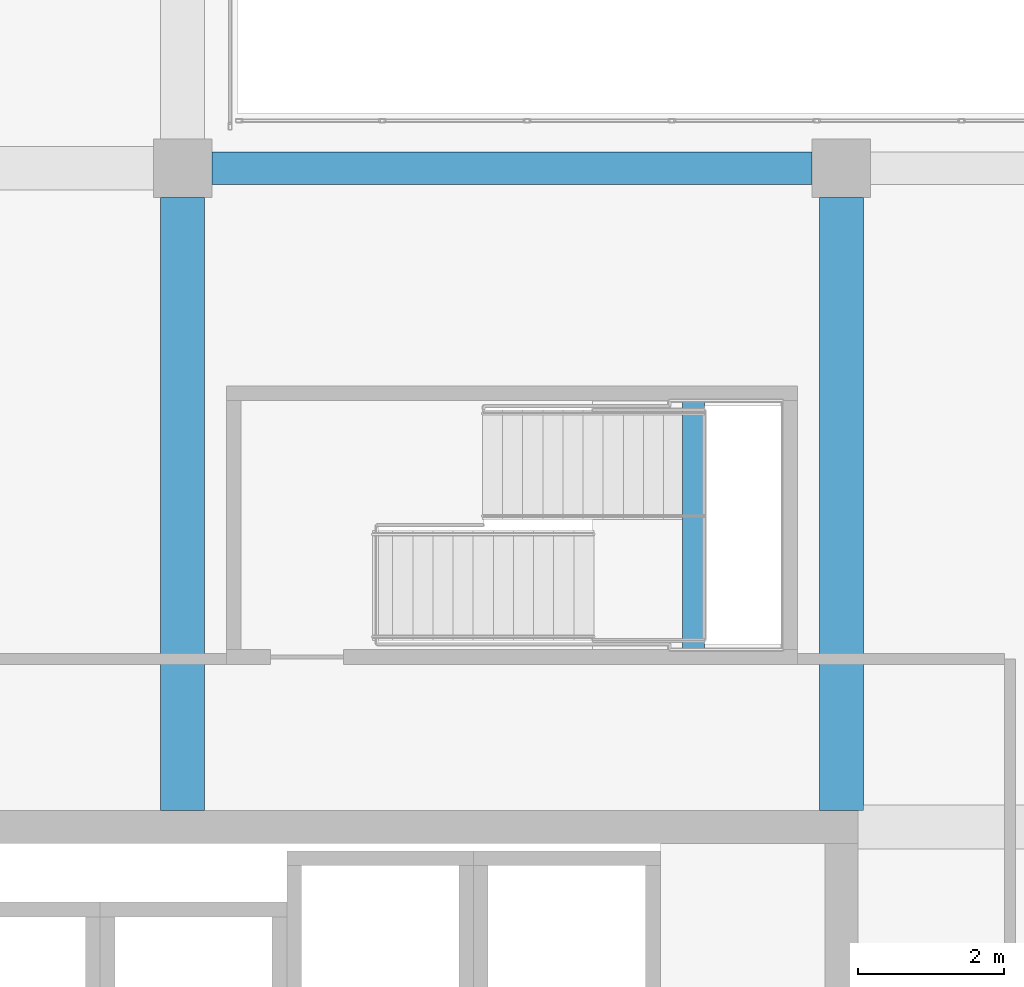
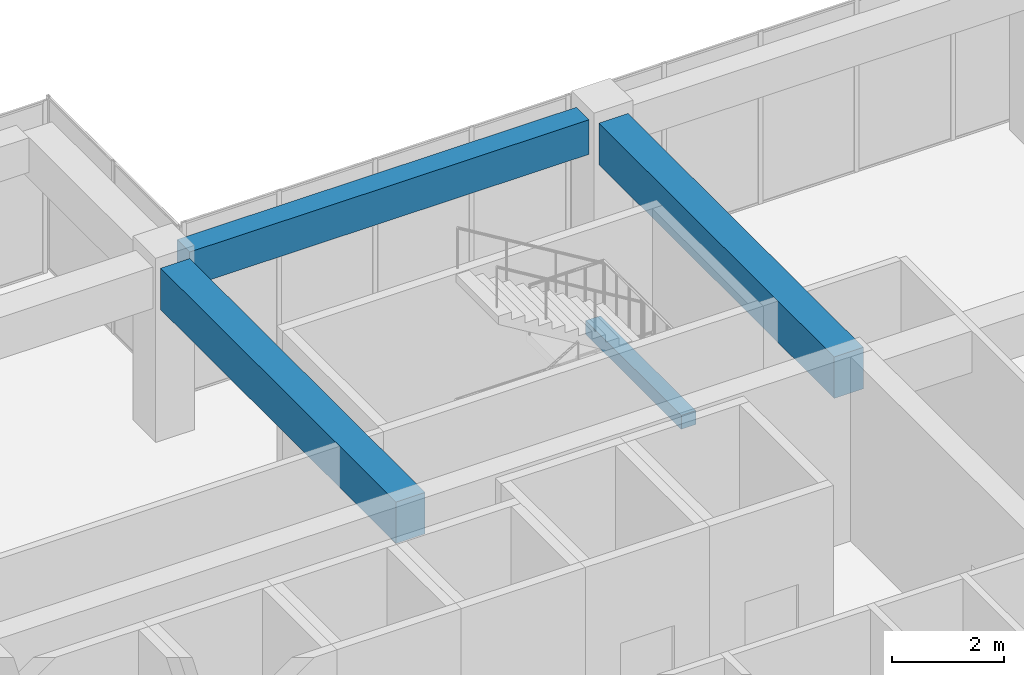
# One storey, part 34 of 66: 4 beams.
"""IFC4 building model written with IfcOpenShell, lengths in metres."""

from ifc_helpers import new_model, si_unit, direction, frame, origin, origin_2d, place, context, subcontext, project, spatial, rectangle, extrude, material, material_profile, profile_set, type_object, element, save


model = new_model("IFC4")

# Units and contexts
model_context = context("Model", 3, precision=1e-05, world=origin(), true_north=direction((0.0, 1.0)))
body_context = subcontext(model_context, "Body", "Model", "MODEL_VIEW")
ifc_project = project(units=[si_unit("LENGTHUNIT", "METRE"), si_unit("AREAUNIT", "SQUARE_METRE"), si_unit("VOLUMEUNIT", "CUBIC_METRE"), si_unit("PLANEANGLEUNIT", "RADIAN"), si_unit("MASSUNIT", "GRAM", prefix="KILO")], contexts=[model_context])

# Site, building, storey
site_placement = place(None, origin())
site = spatial("IfcSite", under=ifc_project, at=site_placement, CompositionType="ELEMENT")
building_placement = place(site_placement, origin())
building = spatial("IfcBuilding", under=site, at=building_placement, Name="Tuart Plaza Theatre", CompositionType="ELEMENT")
storey_placement = place(building_placement, frame((0.0, 0.0, 5.5)))
storey = spatial("IfcBuildingStorey", under=building, at=storey_placement, Name="L01", CompositionType="ELEMENT", Elevation=5.5)

# Beams
ifc_material_1 = material(Name="Concrete N40 (40 MPa)", Category="concrete")
ifc_material_profile_1 = material_profile(ifc_material_1, rectangle(XDim=0.300048828125, YDim=0.300048828125, at=origin_2d()), Name="BEAM 300x300 Concrete N40 (40 MPa)")
ifc_profile_set_1 = profile_set([ifc_material_profile_1], Name="Concrete N40 (40 MPa)")
beam_type_1 = type_object("IfcBeamType", Name="BEAM 300x300 Concrete N40 (40 MPa)", PredefinedType="BEAM", material=ifc_profile_set_1)
beam_1_placement = place(storey_placement, frame((138.97998046875, 85.425048828125, 1.64990234375), z_axis=(0.0, 1.0, 0.0), x_axis=(-1.0, 0.0, 0.0)))
element("IfcBeam", 1, at=beam_1_placement, inside=storey, type_object=beam_type_1, Name="RB513", PredefinedType="BEAM", context=body_context, shape_type="SweptSolid", body=[
    extrude(rectangle(XDim=0.300048828125, YDim=0.300048828125, at=origin_2d()), origin(), (0.0, 0.0, 1.0), 3.39990234375),
])
ifc_material_2 = material(Name="Concrete N40 (40 MPa)", Category="concrete")
ifc_material_profile_2 = material_profile(ifc_material_2, rectangle(XDim=0.449951171875, YDim=0.75, at=origin_2d()), Name="BEAM 450x750 Concrete N40 (40 MPa)")
ifc_profile_set_2 = profile_set([ifc_material_profile_2], Name="Concrete N40 (40 MPa)")
beam_type_2 = type_object("IfcBeamType", Name="BEAM 450x750 Concrete N40 (40 MPa)", PredefinedType="BEAM", material=ifc_profile_set_2)
beam_2_placement = place(storey_placement, frame((132.39990234375, 92.0, 3.375), z_axis=(1.0, 0.0, 0.0), x_axis=(0.0, 1.0, 0.0)))
element("IfcBeam", 2, at=beam_2_placement, inside=storey, type_object=beam_type_2, Name="RB187", PredefinedType="BEAM", context=body_context, shape_type="SweptSolid", body=[
    extrude(rectangle(XDim=0.449951171875, YDim=0.75, at=origin_2d()), origin(), (0.0, 0.0, 1.0), 8.2001953125),
])
ifc_material_3 = material(Name="Concrete N40 (40 MPa)", Category="concrete")
ifc_material_profile_3 = material_profile(ifc_material_3, rectangle(XDim=0.60009765625, YDim=0.89990234375, at=origin_2d()), Name="BEAM 600x900 Concrete N40 (40 MPa)")
ifc_profile_set_3 = profile_set([ifc_material_profile_3], Name="Concrete N40 (40 MPa)")
beam_type_3 = type_object("IfcBeamType", Name="BEAM 600x900 Concrete N40 (40 MPa)", PredefinedType="BEAM", material=ifc_profile_set_3)
for number, where, z_axis, x_axis, name in (
    (3, (132.0, 83.22509765625, 3.300048828125), (0.0, 1.0, 0.0), (-1.0, 0.0, 0.0), "RB185"),
    (4, (141.0, 83.22509765625, 3.300048828125), (0.0, 1.0, 0.0), (-1.0, 0.0, 0.0), "RB192"),
):
    element("IfcBeam", number, at=place(storey_placement, frame(where, z_axis=z_axis, x_axis=x_axis)), inside=storey, type_object=beam_type_3, Name=name, PredefinedType="BEAM", context=body_context, shape_type="SweptSolid", body=[
        extrude(rectangle(XDim=0.60009765625, YDim=0.89990234375, at=origin_2d()), origin(), (0.0, 0.0, 1.0), 8.375),
    ])

save(model, "model.ifc")
